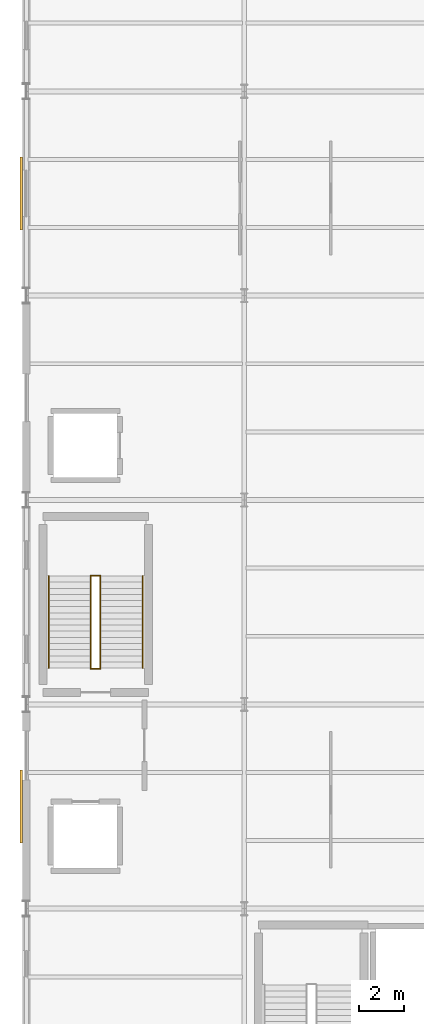
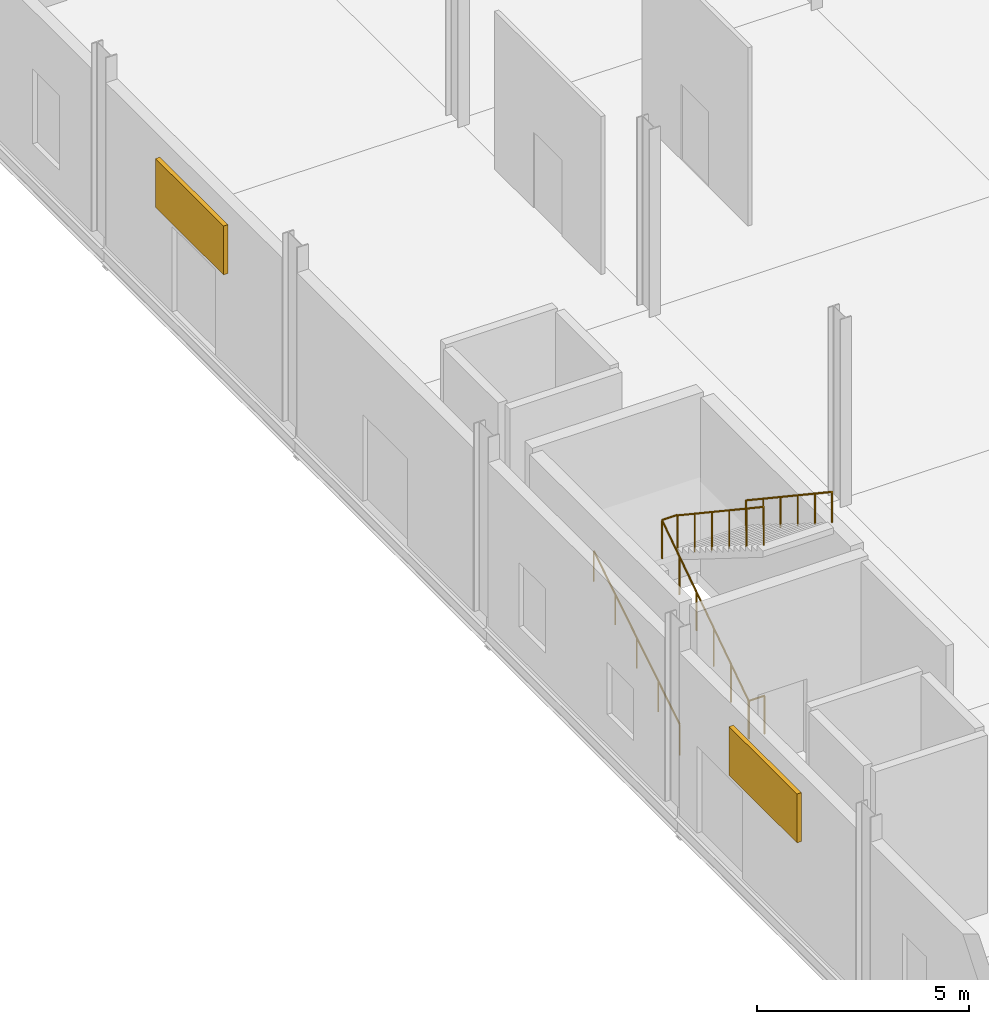
# One storey, part 77 of 85: 6 railings, 2 shading devices.
"""IFC4 building model written with IfcOpenShell, lengths in metres."""

from ifc_helpers import new_model, si_unit, direction, frame, origin, origin_2d, place, context, subcontext, project, spatial, rectangle, circle, extrude, material, type_object, element, save


model = new_model("IFC4")

# Units and contexts
model_context = context("Model", 3, precision=1e-05, world=origin(), true_north=direction((0.0, 1.0)))
body_context = subcontext(model_context, "Body", "Model", "MODEL_VIEW")
ifc_project = project(units=[si_unit("LENGTHUNIT", "METRE"), si_unit("AREAUNIT", "SQUARE_METRE"), si_unit("VOLUMEUNIT", "CUBIC_METRE"), si_unit("PLANEANGLEUNIT", "RADIAN"), si_unit("MASSUNIT", "GRAM", prefix="KILO")], contexts=[model_context])

# Site, building, storey
site_placement = place(None, origin())
site = spatial("IfcSite", under=ifc_project, at=site_placement, CompositionType="ELEMENT")
building_placement = place(site_placement, origin())
building = spatial("IfcBuilding", under=site, at=building_placement, Name="Zarnetskaya Central Station", CompositionType="ELEMENT")
storey_placement = place(building_placement, origin())
storey = spatial("IfcBuildingStorey", under=building, at=storey_placement, Name="L00", CompositionType="ELEMENT", Elevation=0.0)

# Railings
ifc_material_1 = material(Name="Steel S355", Category="steel")
railing_type_1 = type_object("IfcRailingType", Name="RAIL-HAND-900", PredefinedType="HANDRAIL", material=ifc_material_1)
railing_1_placement = place(storey_placement, frame((0.97998046875, 32.800048828125, 0.168701171875)))
element("IfcRailing", 1, at=railing_1_placement, inside=storey, type_object=railing_type_1, Name="Stair ST-C2 L00 flight 1 handrail", PredefinedType="HANDRAIL", context=body_context, shape_type="SweptSolid", body=[
    extrude(circle(Radius=0.02392578125, at=origin_2d()), frame((0.0, 0.0, 0.8759765625), z_axis=(0.0, 0.848001175806, 0.529994345094), x_axis=(-1.0, 0.0, 0.0)), (0.0, 0.0, 1.0), 4.77587890625),
    extrude(circle(Radius=0.02099609375, at=origin_2d()), origin(), (0.0, 0.0, 1.0), 0.851806640625),
    extrude(circle(Radius=0.02099609375, at=origin_2d()), frame((0.0, 1.012451171875, 0.6328125)), (0.0, 0.0, 1.0), 0.851806640625),
    extrude(circle(Radius=0.02099609375, at=origin_2d()), frame((0.0, 2.02490234375, 1.265625)), (0.0, 0.0, 1.0), 0.851806640625),
    extrude(circle(Radius=0.02099609375, at=origin_2d()), frame((0.0, 3.03759765625, 1.8984375)), (0.0, 0.0, 1.0), 0.851806640625),
    extrude(circle(Radius=0.02099609375, at=origin_2d()), frame((0.0, 4.050048828125, 2.53125)), (0.0, 0.0, 1.0), 0.851806640625),
])
railing_2_placement = place(storey_placement, frame((5.1201171875, 36.85009765625, 2.699951171875)))
element("IfcRailing", 2, at=railing_2_placement, inside=storey, type_object=railing_type_1, Name="Stair ST-C2 L00 flight 2 handrail", PredefinedType="HANDRAIL", context=body_context, shape_type="SweptSolid", body=[
    extrude(circle(Radius=0.02392578125, at=origin_2d()), frame((0.0, 0.0, 0.8759765625), z_axis=(0.0, -0.832058010752, 0.55468862143), x_axis=(1.0, 0.0, 0.0)), (0.0, 0.0, 1.0), 4.867431640625),
    extrude(circle(Radius=0.02099609375, at=origin_2d()), origin(), (0.0, 0.0, 1.0), 0.851806640625),
    extrude(circle(Radius=0.02099609375, at=origin_2d()), frame((0.0, -0.81005859375, 0.5400390625)), (0.0, 0.0, 1.0), 0.851806640625),
    extrude(circle(Radius=0.02099609375, at=origin_2d()), frame((0.0, -1.6201171875, 1.080078125)), (0.0, 0.0, 1.0), 0.851806640625),
    extrude(circle(Radius=0.02099609375, at=origin_2d()), frame((0.0, -2.429931640625, 1.619873046875)), (0.0, 0.0, 1.0), 0.851806640625),
    extrude(circle(Radius=0.02099609375, at=origin_2d()), frame((0.0, -3.239990234375, 2.159912109375)), (0.0, 0.0, 1.0), 0.851806640625),
    extrude(circle(Radius=0.02099609375, at=origin_2d()), frame((0.0, -4.050048828125, 2.699951171875)), (0.0, 0.0, 1.0), 0.851806640625),
])
railing_type_2 = type_object("IfcRailingType", Name="RAIL-STAIR-GRD", PredefinedType="BALUSTRADE", material=ifc_material_1)
railing_3_placement = place(storey_placement, frame((2.840087890625, 32.760009765625, 0.0)))
element("IfcRailing", 3, at=railing_3_placement, inside=storey, type_object=railing_type_2, Name="Stair ST-C2 L00 floor well guard", PredefinedType="BALUSTRADE", context=body_context, shape_type="SweptSolid", body=[
    extrude(circle(Radius=0.02392578125, at=origin_2d()), frame((0.0, 0.0, 1.09619140625), z_axis=(1.0, 0.0, 0.0), x_axis=(0.0, 1.0, 0.0)), (0.0, 0.0, 1.0), 0.419921875),
    extrude(circle(Radius=0.02099609375, at=origin_2d()), origin(), (0.0, 0.0, 1.0), 1.072021484375),
    extrude(circle(Radius=0.02099609375, at=origin_2d()), frame((0.419921875, 0.0, 0.0)), (0.0, 0.0, 1.0), 1.072021484375),
])
railing_4_placement = place(storey_placement, frame((2.840087890625, 32.800048828125, 0.0)))
element("IfcRailing", 4, at=railing_4_placement, inside=storey, type_object=railing_type_2, Name="Stair ST-C2 L00 flight 1 well guard", PredefinedType="BALUSTRADE", context=body_context, shape_type="SweptSolid", body=[
    extrude(circle(Radius=0.02392578125, at=origin_2d()), frame((0.0, 0.0, 1.09619140625), z_axis=(0.0, 0.832058010752, 0.55468862143), x_axis=(-1.0, 0.0, 0.0)), (0.0, 0.0, 1.0), 4.867431640625),
    extrude(circle(Radius=0.02099609375, at=origin_2d()), origin(), (0.0, 0.0, 1.0), 1.072021484375),
    extrude(circle(Radius=0.02099609375, at=origin_2d()), frame((0.0, 0.81005859375, 0.5400390625)), (0.0, 0.0, 1.0), 1.072021484375),
    extrude(circle(Radius=0.02099609375, at=origin_2d()), frame((0.0, 1.6201171875, 1.080078125)), (0.0, 0.0, 1.0), 1.072021484375),
    extrude(circle(Radius=0.02099609375, at=origin_2d()), frame((0.0, 2.429931640625, 1.619873046875)), (0.0, 0.0, 1.0), 1.072021484375),
    extrude(circle(Radius=0.02099609375, at=origin_2d()), frame((0.0, 3.239990234375, 2.159912109375)), (0.0, 0.0, 1.0), 1.072021484375),
    extrude(circle(Radius=0.02099609375, at=origin_2d()), frame((0.0, 4.050048828125, 2.699951171875)), (0.0, 0.0, 1.0), 1.072021484375),
])
railing_5_placement = place(storey_placement, frame((2.840087890625, 36.8701171875, 2.699951171875)))
element("IfcRailing", 5, at=railing_5_placement, inside=storey, type_object=railing_type_2, Name="Stair ST-C2 L00 half-landing well guard", PredefinedType="BALUSTRADE", context=body_context, shape_type="SweptSolid", body=[
    extrude(circle(Radius=0.02392578125, at=origin_2d()), frame((0.0, 0.0, 1.09619140625), z_axis=(1.0, 0.0, 0.0), x_axis=(0.0, 1.0, 0.0)), (0.0, 0.0, 1.0), 0.419921875),
    extrude(circle(Radius=0.02099609375, at=origin_2d()), origin(), (0.0, 0.0, 1.0), 1.072021484375),
    extrude(circle(Radius=0.02099609375, at=origin_2d()), frame((0.419921875, 0.0, 0.0)), (0.0, 0.0, 1.0), 1.072021484375),
])
railing_6_placement = place(storey_placement, frame((3.260009765625, 36.85009765625, 2.699951171875)))
element("IfcRailing", 6, at=railing_6_placement, inside=storey, type_object=railing_type_2, Name="Stair ST-C2 L00 flight 2 well guard", PredefinedType="BALUSTRADE", context=body_context, shape_type="SweptSolid", body=[
    extrude(circle(Radius=0.02392578125, at=origin_2d()), frame((0.0, 0.0, 1.09619140625), z_axis=(0.0, -0.832058010752, 0.55468862143), x_axis=(1.0, 0.0, 0.0)), (0.0, 0.0, 1.0), 4.867431640625),
    extrude(circle(Radius=0.02099609375, at=origin_2d()), origin(), (0.0, 0.0, 1.0), 1.072021484375),
    extrude(circle(Radius=0.02099609375, at=origin_2d()), frame((0.0, -0.81005859375, 0.5400390625)), (0.0, 0.0, 1.0), 1.072021484375),
    extrude(circle(Radius=0.02099609375, at=origin_2d()), frame((0.0, -1.6201171875, 1.080078125)), (0.0, 0.0, 1.0), 1.072021484375),
    extrude(circle(Radius=0.02099609375, at=origin_2d()), frame((0.0, -2.429931640625, 1.619873046875)), (0.0, 0.0, 1.0), 1.072021484375),
    extrude(circle(Radius=0.02099609375, at=origin_2d()), frame((0.0, -3.239990234375, 2.159912109375)), (0.0, 0.0, 1.0), 1.072021484375),
    extrude(circle(Radius=0.02099609375, at=origin_2d()), frame((0.0, -4.050048828125, 2.699951171875)), (0.0, 0.0, 1.0), 1.072021484375),
])

# Shading devices
ifc_material_2 = material(Name="Anodised aluminium", Category="aluminium")
shading_device_type = type_object("IfcShadingDeviceType", Name="SHD-JALOUSIE-A", PredefinedType="JALOUSIE", material=ifc_material_2)
for number, where, z_axis, x_axis, name in (
    (7, (-0.219970703125, 26.699951171875, 2.75), (0.0, 0.0, 1.0), (0.0, 1.0, 0.0), "Acoustic ventilation jalousie L00"),
    (8, (-0.219970703125, 53.699951171875, 2.699951171875), (0.0, 0.0, 1.0), (0.0, 1.0, 0.0), "Acoustic ventilation jalousie L00"),
):
    element("IfcShadingDevice", number, at=place(storey_placement, frame(where, z_axis=z_axis, x_axis=x_axis)), inside=storey, type_object=shading_device_type, Name=name, PredefinedType="JALOUSIE", context=body_context, shape_type="SweptSolid", body=[
        extrude(rectangle(XDim=3.199951171875, YDim=0.1201171875, at=origin_2d()), origin(), (0.0, 0.0, 1.0), 1.39990234375),
    ])

save(model, "model.ifc")
